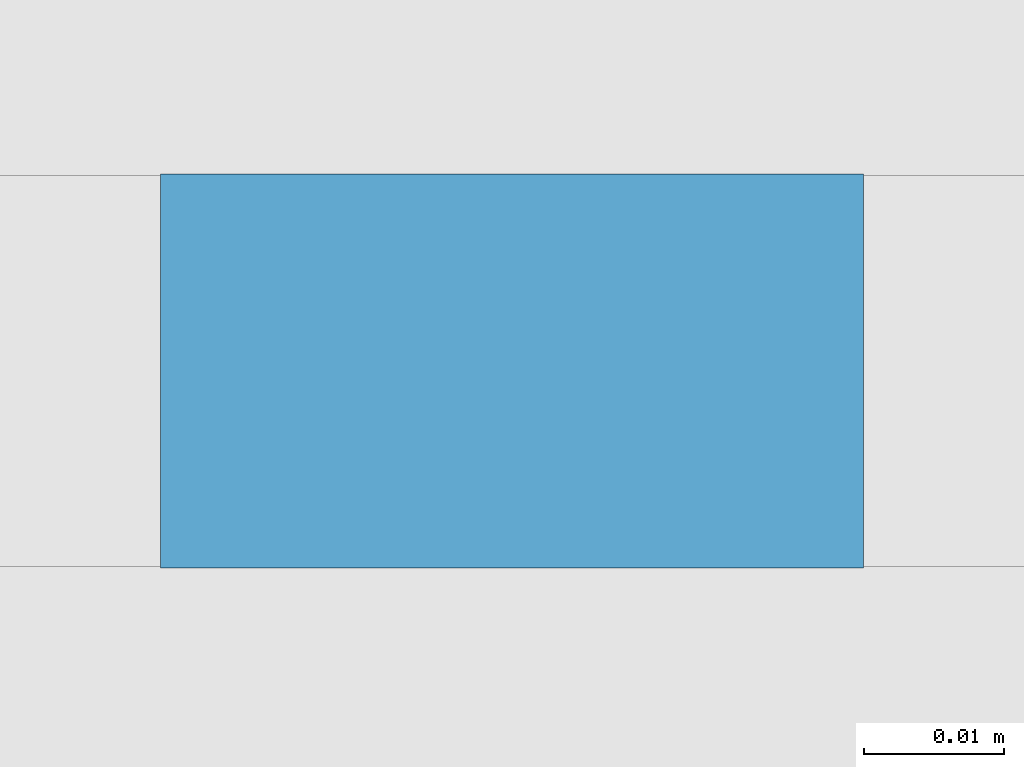
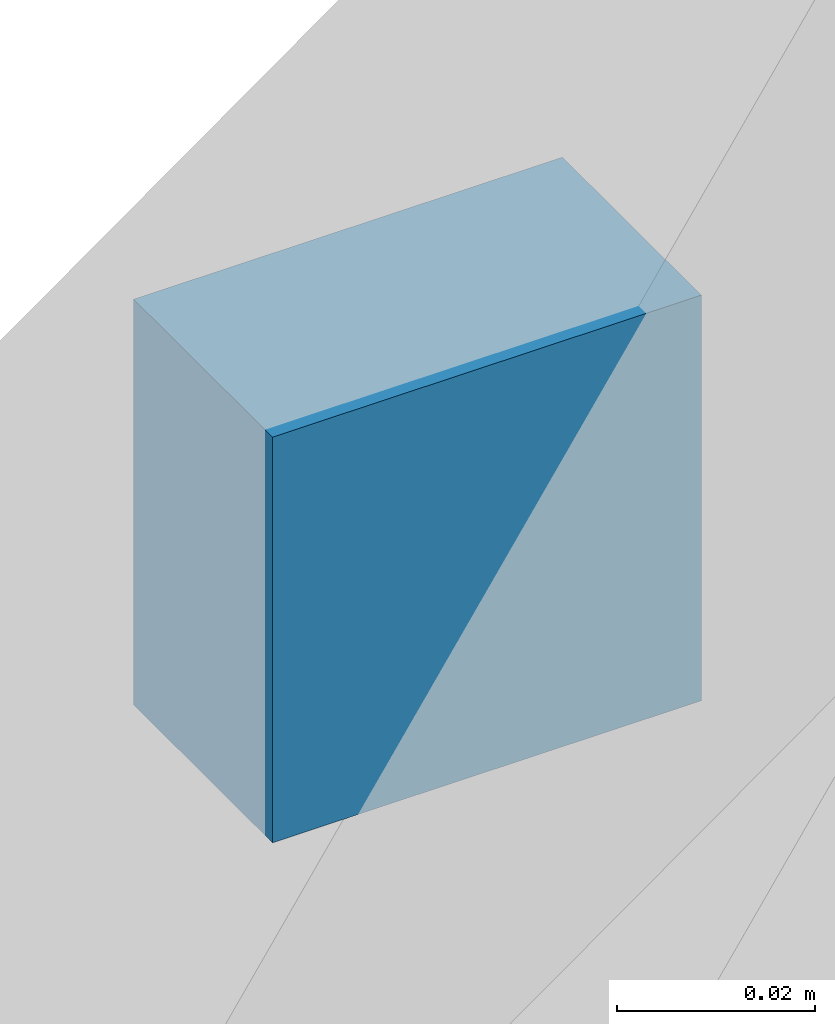
# One storey, part 14 of 16: 1 discrete accessory, 1 element without a shape of its own.
"""IFC4 building model written with IfcOpenShell, lengths in metres."""

from ifc_helpers import new_model, si_unit, direction, frame, origin, origin_2d, place, context, subcontext, project, spatial, rectangle, extrude, material, type_object, element, aggregate, save


model = new_model("IFC4")

# Units and contexts
model_context = context("Model", 3, precision=1e-05, world=origin(), true_north=direction((0.0, 1.0)))
body_context = subcontext(model_context, "Body", "Model", "MODEL_VIEW")
ifc_project = project(units=[si_unit("LENGTHUNIT", "METRE"), si_unit("AREAUNIT", "SQUARE_METRE"), si_unit("VOLUMEUNIT", "CUBIC_METRE"), si_unit("PLANEANGLEUNIT", "RADIAN"), si_unit("MASSUNIT", "GRAM", prefix="KILO")], contexts=[model_context])

# Site, building, storey
site_placement = place(None, origin())
site = spatial("IfcSite", under=ifc_project, at=site_placement, CompositionType="ELEMENT")
building_placement = place(site_placement, origin())
building = spatial("IfcBuilding", under=site, at=building_placement, Name="Tessera Arch", CompositionType="ELEMENT")
storey_placement = place(building_placement, frame((0.0, 0.0, 218.89990234375)))
storey = spatial("IfcBuildingStorey", under=building, at=storey_placement, Name="L52", CompositionType="ELEMENT", Elevation=218.89990234375)

# Curtain wall, discrete accessory
ifc_material = material(Name="CW3 curtain wall")
curtain_wall_type = type_object("IfcCurtainWallType", Name="CW3 curtain wall", PredefinedType="NOTDEFINED", material=ifc_material)
curtain_wall_placement = place(storey_placement, origin())
curtain_wall = element("IfcCurtainWall", 1, at=curtain_wall_placement, inside=storey, type_object=curtain_wall_type, Name="CW3 curtain wall N54.32/1 L52", PredefinedType="NOTDEFINED")
discrete_accessory_placement = place(storey_placement, frame((40.303955078125, 54.0439453125, 0.2666015625), z_axis=(0.0, 0.0, 1.0), x_axis=(-1.0, 0.0, 0.0)))
discrete_accessory = element("IfcDiscreteAccessory", 2, at=discrete_accessory_placement, Name="Glazing bracket", PredefinedType="BRACKET", context=body_context, shape_type="SweptSolid", body=[
    extrude(rectangle(XDim=0.050048828125, YDim=0.028076171875, at=origin_2d()), origin(), (0.0, 0.0, 1.0), 0.050048828125),
])
aggregate(curtain_wall, [discrete_accessory])

save(model, "model.ifc")
